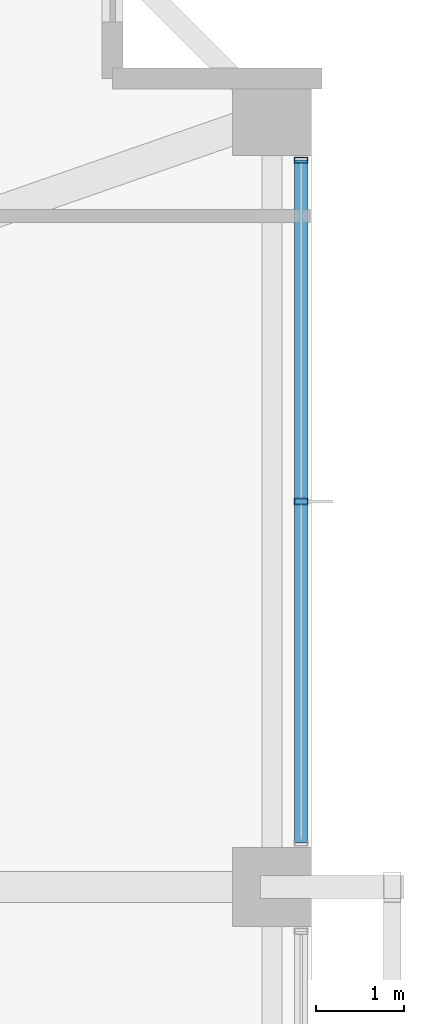
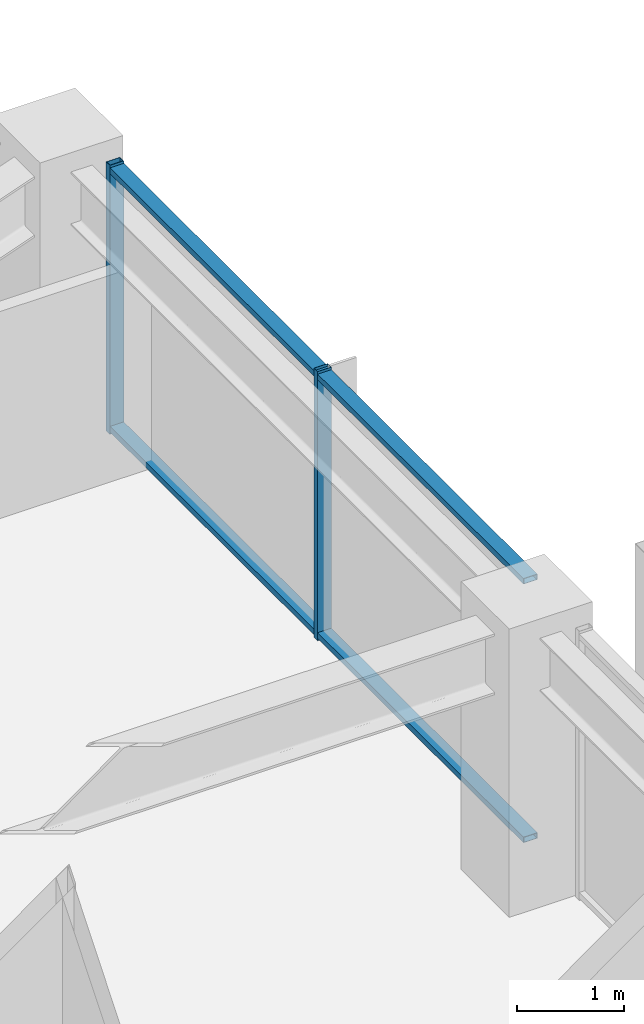
# One storey, part 23 of 37: 4 members, 1 element without a shape of its own.
"""IFC4 building model written with IfcOpenShell, lengths in metres."""

from ifc_helpers import new_model, si_unit, direction, frame, origin, origin_2d, place, context, subcontext, project, spatial, hollow_rectangle, extrude, material, material_profile, profile_set, type_object, element, aggregate, save


model = new_model("IFC4")

# Units and contexts
model_context = context("Model", 3, precision=1e-05, world=origin(), true_north=direction((0.0, 1.0)))
body_context = subcontext(model_context, "Body", "Model", "MODEL_VIEW")
ifc_project = project(units=[si_unit("LENGTHUNIT", "METRE"), si_unit("AREAUNIT", "SQUARE_METRE"), si_unit("VOLUMEUNIT", "CUBIC_METRE"), si_unit("PLANEANGLEUNIT", "RADIAN"), si_unit("MASSUNIT", "GRAM", prefix="KILO")], contexts=[model_context])

# Site, building, storey
site_placement = place(None, origin())
site = spatial("IfcSite", under=ifc_project, at=site_placement, CompositionType="ELEMENT")
building_placement = place(site_placement, origin())
building = spatial("IfcBuilding", under=site, at=building_placement, Name="Kolvaren Belvedere", CompositionType="ELEMENT")
storey_placement = place(building_placement, frame((0.0, 0.0, 173.39990234375)))
storey = spatial("IfcBuildingStorey", under=building, at=storey_placement, Name="L50", CompositionType="ELEMENT", Elevation=173.39990234375)

# Curtain wall, members
ifc_material_1 = material(Name="Anodised pale-metal aluminium AA 6063-T6", Category="aluminium")
curtain_wall_type = type_object("IfcCurtainWallType", Name="CW-Z5-HIGH", PredefinedType="NOTDEFINED", material=ifc_material_1)
curtain_wall_placement = place(storey_placement, origin())
curtain_wall = element("IfcCurtainWall", 1, at=curtain_wall_placement, inside=storey, type_object=curtain_wall_type, Name="L50 Unitised Curtain Wall FCW-L50-E-B1", PredefinedType="NOTDEFINED")
ifc_material_2 = material(Name="Anodised pale-metal aluminium AA 6063-T6", Category="aluminium")
ifc_material_profile_1 = material_profile(ifc_material_2, hollow_rectangle(XDim=0.070068359375, YDim=0.14990234375, WallThickness=0.004150390625, at=origin_2d()), Name="ALU-MUL-150X70")
ifc_profile_set_1 = profile_set([ifc_material_profile_1], Name="Anodised pale-metal aluminium AA 6063-T6")
member_type_1 = type_object("IfcMemberType", Name="CW-MUL-150", PredefinedType="MULLION", material=ifc_profile_set_1)
member_1_placement = place(storey_placement, frame((20.280029296875, 12.89501953125, 0.0), z_axis=(0.0, 0.0, 1.0), x_axis=(0.0, 1.0, 0.0)))
member_1 = element("IfcMember", 2, at=member_1_placement, type_object=member_type_1, Name="FCW-L50-E-B1 Unitised Mullion 1", PredefinedType="MULLION", context=body_context, shape_type="SweptSolid", body=[
    extrude(hollow_rectangle(XDim=0.070068359375, YDim=0.14990234375, WallThickness=0.004150390625, at=origin_2d()), origin(), (0.0, 0.0, 1.0), 3.080078125),
])
member_2_placement = place(storey_placement, frame((20.280029296875, 9.0, 0.0), z_axis=(0.0, 0.0, 1.0), x_axis=(0.0, 1.0, 0.0)))
member_2 = element("IfcMember", 3, at=member_2_placement, type_object=member_type_1, Name="FCW-L50-E-B1 Unitised Mullion 2", PredefinedType="MULLION", context=body_context, shape_type="SweptSolid", body=[
    extrude(hollow_rectangle(XDim=0.070068359375, YDim=0.14990234375, WallThickness=0.004150390625, at=origin_2d()), origin(), (0.0, 0.0, 1.0), 3.080078125),
])
ifc_material_3 = material(Name="Anodised pale-metal aluminium AA 6063-T6", Category="aluminium")
ifc_material_profile_2 = material_profile(ifc_material_3, hollow_rectangle(XDim=0.06494140625, YDim=0.14990234375, WallThickness=0.00390625, at=origin_2d()), Name="ALU-TRN-150X65")
ifc_profile_set_2 = profile_set([ifc_material_profile_2], Name="Anodised pale-metal aluminium AA 6063-T6")
member_type_2 = type_object("IfcMemberType", Name="CW-TRN-150", PredefinedType="USERDEFINED", material=ifc_profile_set_2)
member_3_placement = place(storey_placement, frame((20.280029296875, 12.89501953125, 0.06005859375), z_axis=(0.0, -1.0, 0.0), x_axis=(0.0, 0.0, 1.0)))
member_3 = element("IfcMember", 4, at=member_3_placement, type_object=member_type_2, Name="FCW-L50-E-B1 Sill Transom", ObjectType="TRANSOM", PredefinedType="USERDEFINED", context=body_context, shape_type="SweptSolid", body=[
    extrude(hollow_rectangle(XDim=0.06494140625, YDim=0.14990234375, WallThickness=0.00390625, at=origin_2d()), origin(), (0.0, 0.0, 1.0), 7.7900390625),
])
member_4_placement = place(storey_placement, frame((20.280029296875, 12.89501953125, 3.02001953125), z_axis=(0.0, -1.0, 0.0), x_axis=(0.0, 0.0, 1.0)))
member_4 = element("IfcMember", 5, at=member_4_placement, type_object=member_type_2, Name="FCW-L50-E-B1 Head Transom", ObjectType="TRANSOM", PredefinedType="USERDEFINED", context=body_context, shape_type="SweptSolid", body=[
    extrude(hollow_rectangle(XDim=0.06494140625, YDim=0.14990234375, WallThickness=0.00390625, at=origin_2d()), origin(), (0.0, 0.0, 1.0), 7.7900390625),
])
aggregate(curtain_wall, [member_1, member_2, member_3, member_4])

save(model, "model.ifc")
